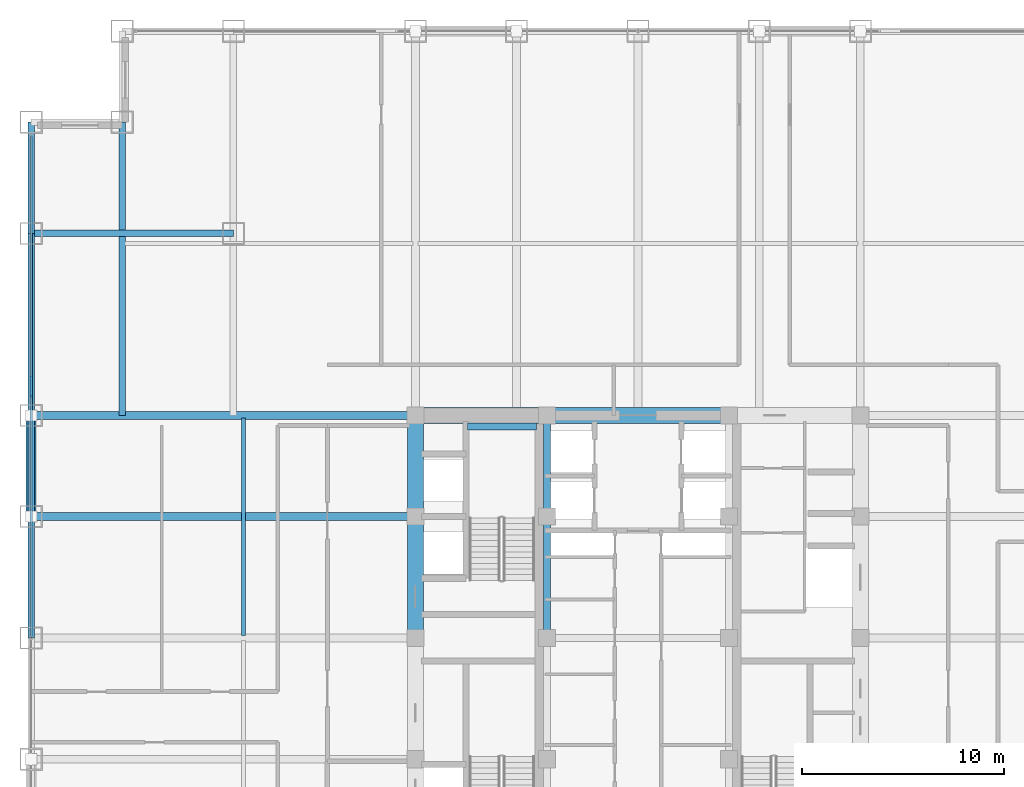
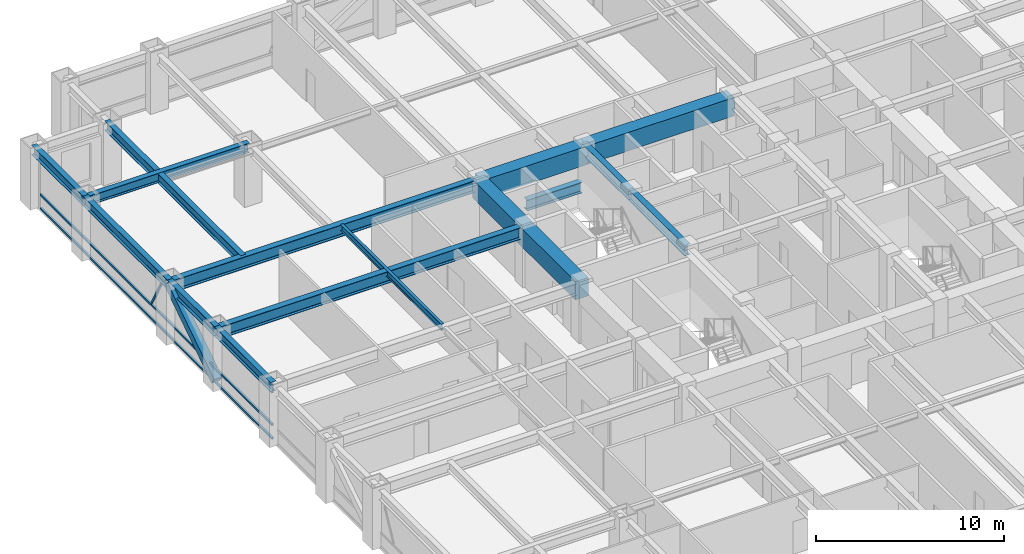
# One storey, part 11 of 24: 16 beams, 5 members, 1 element without a shape of its own.
"""IFC4 building model written with IfcOpenShell, lengths in metres."""

from ifc_helpers import new_model, si_unit, direction, frame, origin, origin_2d, place, context, subcontext, project, spatial, rectangle, hollow_rectangle, i_section, extrude, source, transform, mapped, material, material_profile, profile_set, type_object, element, aggregate, save


model = new_model("IFC4")

# Units and contexts
model_context = context("Model", 3, precision=1e-05, world=origin(), true_north=direction((0.0, 1.0)))
body_context = subcontext(model_context, "Body", "Model", "MODEL_VIEW")
ifc_project = project(units=[si_unit("LENGTHUNIT", "METRE"), si_unit("AREAUNIT", "SQUARE_METRE"), si_unit("VOLUMEUNIT", "CUBIC_METRE"), si_unit("PLANEANGLEUNIT", "RADIAN"), si_unit("MASSUNIT", "GRAM", prefix="KILO")], contexts=[model_context])

# Site, building, storey
site_placement = place(None, origin())
site = spatial("IfcSite", under=ifc_project, at=site_placement, CompositionType="ELEMENT")
building_placement = place(site_placement, origin())
building = spatial("IfcBuilding", under=site, at=building_placement, Name="Khorayat Bourse Tower", CompositionType="ELEMENT")
storey_placement = place(building_placement, frame((0.0, 0.0, 171.10009765625)))
storey = spatial("IfcBuildingStorey", under=building, at=storey_placement, Name="L39", CompositionType="ELEMENT", Elevation=171.10009765625)

# Beams
ifc_material_1 = material(Name="Concrete C72/90", Category="concrete")
ifc_material_profile_1 = material_profile(ifc_material_1, rectangle(XDim=0.800048828125, YDim=1.199951171875, at=origin_2d()), Name="RC 800x1200")
ifc_profile_set_1 = profile_set([ifc_material_profile_1], Name="Concrete C72/90")
beam_type_1 = type_object("IfcBeamType", Name="BM-COUP-1200", PredefinedType="BEAM", material=ifc_profile_set_1)
shared_shape_1 = source(origin(), body_context, "Body", "SweptSolid", [
    extrude(rectangle(XDim=0.800048828125, YDim=1.199951171875, at=origin_2d()), origin(), (0.0, 0.0, 1.0), 5.0),
])
beam_1_placement = place(storey_placement, frame((-11.0, 6.0, 3.179931640625), z_axis=(0.0, 1.0, 0.0), x_axis=(-1.0, 0.0, 0.0)))
element("IfcBeam", 1, at=beam_1_placement, inside=storey, type_object=beam_type_1, Name="L39 BM-COUP-1200 BM-L39-CRX-04", PredefinedType="BEAM", context=body_context, shape_type="MappedRepresentation", body=[
    mapped(shared_shape_1, transform((0.0, 0.0, 0.0), scale=1.0)),
])
shared_shape_2 = source(origin(), body_context, "Body", "SweptSolid", [
    extrude(rectangle(XDim=0.800048828125, YDim=1.199951171875, at=origin_2d()), origin(), (0.0, 0.0, 1.0), 6.0),
])
beam_2_placement = place(storey_placement, frame((-11.0, 0.0, 3.179931640625), z_axis=(0.0, 1.0, 0.0), x_axis=(-1.0, 0.0, 0.0)))
element("IfcBeam", 2, at=beam_2_placement, inside=storey, type_object=beam_type_1, Name="L39 BM-COUP-1200 BM-L39-CRX-03", PredefinedType="BEAM", context=body_context, shape_type="MappedRepresentation", body=[
    mapped(shared_shape_2, transform((0.0, 0.0, 0.0), scale=1.0)),
])
ifc_material_2 = material(Name="Steel ASTM A992 Grade 50", Category="steel")
ifc_material_profile_2 = material_profile(ifc_material_2, i_section(OverallWidth=0.35498046875, OverallDepth=0.695068359375, WebThickness=0.015380859375, FlangeThickness=0.02490234375, FilletRadius=0.01806640625, at=origin_2d()), Name="W690X217")
ifc_profile_set_2 = profile_set([ifc_material_profile_2], Name="Steel ASTM A992 Grade 50")
beam_type_2 = type_object("IfcBeamType", Name="BM-GIRD-690", PredefinedType="BEAM", material=ifc_profile_set_2)
shared_shape_3 = source(origin(), body_context, "Body", "SweptSolid", [
    extrude(i_section(OverallWidth=0.35498046875, OverallDepth=0.695068359375, WebThickness=0.015380859375, FlangeThickness=0.02490234375, FilletRadius=0.01806640625, at=origin_2d()), origin(), (0.0, 0.0, 1.0), 5.0),
])
beam_3_placement = place(storey_placement, frame((-4.5, 6.0, 3.432373046875), z_axis=(0.0, 1.0, 0.0), x_axis=(-1.0, 0.0, 0.0)))
element("IfcBeam", 3, at=beam_3_placement, inside=storey, type_object=beam_type_2, Name="L39 BM-GIRD-690 BM-L39-CRX-08", PredefinedType="BEAM", context=body_context, shape_type="MappedRepresentation", body=[
    mapped(shared_shape_3, transform((0.0, 0.0, 0.0), scale=1.0)),
])
shared_shape_4 = source(origin(), body_context, "Body", "SweptSolid", [
    extrude(i_section(OverallWidth=0.35498046875, OverallDepth=0.695068359375, WebThickness=0.015380859375, FlangeThickness=0.02490234375, FilletRadius=0.01806640625, at=origin_2d()), origin(), (0.0, 0.0, 1.0), 6.0),
])
beam_4_placement = place(storey_placement, frame((-4.5, 0.0, 3.432373046875), z_axis=(0.0, 1.0, 0.0), x_axis=(-1.0, 0.0, 0.0)))
element("IfcBeam", 4, at=beam_4_placement, inside=storey, type_object=beam_type_2, Name="L39 BM-GIRD-690 BM-L39-CRX-07", PredefinedType="BEAM", context=body_context, shape_type="MappedRepresentation", body=[
    mapped(shared_shape_4, transform((0.0, 0.0, 0.0), scale=1.0)),
])
shared_shape_5 = source(origin(), body_context, "Body", "SweptSolid", [
    extrude(rectangle(XDim=0.800048828125, YDim=1.199951171875, at=origin_2d()), origin(), (0.0, 0.0, 1.0), 6.5),
])
beam_5_placement = place(storey_placement, frame((-11.0, 11.0, 3.179931640625), z_axis=(1.0, 0.0, 0.0), x_axis=(0.0, 1.0, 0.0)))
element("IfcBeam", 5, at=beam_5_placement, inside=storey, type_object=beam_type_1, Name="L39 BM-COUP-1200 BM-L39-CRY-20", PredefinedType="BEAM", context=body_context, shape_type="MappedRepresentation", body=[
    mapped(shared_shape_5, transform((0.0, 0.0, 0.0), scale=1.0)),
])
shared_shape_6 = source(origin(), body_context, "Body", "SweptSolid", [
    extrude(rectangle(XDim=0.800048828125, YDim=1.199951171875, at=origin_2d()), origin(), (0.0, 0.0, 1.0), 9.0),
])
beam_6_placement = place(storey_placement, frame((-4.5, 11.0, 3.179931640625), z_axis=(1.0, 0.0, 0.0), x_axis=(0.0, 1.0, 0.0)))
element("IfcBeam", 6, at=beam_6_placement, inside=storey, type_object=beam_type_1, Name="L39 BM-COUP-1200 BM-L39-CRY-21", PredefinedType="BEAM", context=body_context, shape_type="MappedRepresentation", body=[
    mapped(shared_shape_6, transform((0.0, 0.0, 0.0), scale=1.0)),
])
shared_shape_7 = source(origin(), body_context, "Body", "SweptSolid", [
    extrude(i_section(OverallWidth=0.35498046875, OverallDepth=0.695068359375, WebThickness=0.015380859375, FlangeThickness=0.02490234375, FilletRadius=0.01806640625, at=origin_2d()), origin(), (0.0, 0.0, 1.0), 3.39990234375),
])
beam_7_placement = place(storey_placement, frame((-8.419921875, 10.449951171875, 1.452392578125), z_axis=(1.0, 0.0, 0.0), x_axis=(0.0, 1.0, 0.0)))
element("IfcBeam", 7, at=beam_7_placement, inside=storey, type_object=beam_type_2, Name="L39 BM-GIRD-690 BM-L39-ST2L", PredefinedType="BEAM", context=body_context, shape_type="MappedRepresentation", body=[
    mapped(shared_shape_7, transform((0.0, 0.0, 0.0), scale=1.0)),
])
ifc_material_profile_3 = material_profile(ifc_material_2, i_section(OverallWidth=0.381103515625, OverallDepth=0.77294921875, WebThickness=0.0166015625, FlangeThickness=0.027587890625, FilletRadius=0.01806640625, at=origin_2d()), Name="W760X257")
ifc_profile_set_3 = profile_set([ifc_material_profile_3], Name="Steel ASTM A992 Grade 50")
beam_type_3 = type_object("IfcBeamType", Name="BM-GIRD-760", PredefinedType="BEAM", material=ifc_profile_set_3)
shared_shape_8 = source(origin(), body_context, "Body", "SweptSolid", [
    extrude(i_section(OverallWidth=0.381103515625, OverallDepth=0.77294921875, WebThickness=0.0166015625, FlangeThickness=0.027587890625, FilletRadius=0.01806640625, at=origin_2d()), origin(), (0.0, 0.0, 1.0), 19.0),
])
for number, where, z_axis, x_axis, name in (
    (8, (-30.0, 6.0, 3.393310546875), (1.0, 0.0, 0.0), (0.0, 1.0, 0.0), "L39 BM-GIRD-760 BM-L39-RADX-081"),
    (9, (-30.0, 11.0, 3.393310546875), (1.0, 0.0, 0.0), (0.0, 1.0, 0.0), "L39 BM-GIRD-760 BM-L39-RADX-083"),
):
    element("IfcBeam", number, at=place(storey_placement, frame(where, z_axis=z_axis, x_axis=x_axis)), inside=storey, type_object=beam_type_3, Name=name, PredefinedType="BEAM", context=body_context, shape_type="MappedRepresentation", body=[
        mapped(shared_shape_8, transform((0.0, 0.0, 0.0), scale=1.0)),
    ])
ifc_material_profile_4 = material_profile(ifc_material_2, i_section(OverallWidth=0.324951171875, OverallDepth=0.615966796875, WebThickness=0.013916015625, FlangeThickness=0.021484375, FilletRadius=0.01611328125, at=origin_2d()), Name="W610X174")
ifc_profile_set_4 = profile_set([ifc_material_profile_4], Name="Steel ASTM A992 Grade 50")
beam_type_4 = type_object("IfcBeamType", Name="BM-GIRD-610", PredefinedType="BEAM", material=ifc_profile_set_4)
shared_shape_9 = source(origin(), body_context, "Body", "SweptSolid", [
    extrude(i_section(OverallWidth=0.324951171875, OverallDepth=0.615966796875, WebThickness=0.013916015625, FlangeThickness=0.021484375, FilletRadius=0.01611328125, at=origin_2d()), origin(), (0.0, 0.0, 1.0), 14.5),
])
beam_8_placement = place(storey_placement, frame((-25.5, 11.0, 3.471923828125), z_axis=(0.0, 1.0, 0.0), x_axis=(-1.0, 0.0, 0.0)))
element("IfcBeam", 10, at=beam_8_placement, inside=storey, type_object=beam_type_4, Name="L39 BM-GIRD-610 BM-L39-CNRY-089", PredefinedType="BEAM", context=body_context, shape_type="MappedRepresentation", body=[
    mapped(shared_shape_9, transform((0.0, 0.0, 0.0), scale=1.0)),
])
shared_shape_10 = source(origin(), body_context, "Body", "SweptSolid", [
    extrude(i_section(OverallWidth=0.324951171875, OverallDepth=0.615966796875, WebThickness=0.013916015625, FlangeThickness=0.021484375, FilletRadius=0.01611328125, at=origin_2d()), origin(), (0.0, 0.0, 1.0), 10.0),
])
beam_9_placement = place(storey_placement, frame((-30.0, 20.0, 3.471923828125), z_axis=(1.0, 0.0, 0.0), x_axis=(0.0, 1.0, 0.0)))
element("IfcBeam", 11, at=beam_9_placement, inside=storey, type_object=beam_type_4, Name="L39 BM-GIRD-610 BM-L39-CNRX-095", PredefinedType="BEAM", context=body_context, shape_type="MappedRepresentation", body=[
    mapped(shared_shape_10, transform((0.0, 0.0, 0.0), scale=1.0)),
])
ifc_material_profile_5 = material_profile(ifc_material_2, i_section(OverallWidth=0.180908203125, OverallDepth=0.4169921875, WebThickness=0.010986328125, FlangeThickness=0.018310546875, FilletRadius=0.011962890625, at=origin_2d()), Name="W410X85")
ifc_profile_set_5 = profile_set([ifc_material_profile_5], Name="Steel ASTM A992 Grade 50")
beam_type_5 = type_object("IfcBeamType", Name="BM-JOIST-410", PredefinedType="JOIST", material=ifc_profile_set_5)
shared_shape_11 = source(origin(), body_context, "Body", "SweptSolid", [
    extrude(i_section(OverallWidth=0.180908203125, OverallDepth=0.4169921875, WebThickness=0.010986328125, FlangeThickness=0.018310546875, FilletRadius=0.011962890625, at=origin_2d()), origin(), (0.0, 0.0, 1.0), 10.740234375),
])
beam_10_placement = place(storey_placement, frame((-19.5, 0.1298828125, 3.5712890625), z_axis=(0.0, 1.0, 0.0), x_axis=(-1.0, 0.0, 0.0)))
element("IfcBeam", 12, at=beam_10_placement, inside=storey, type_object=beam_type_5, Name="L39 BM-JOIST-410 BM-L39-JSTY-103", PredefinedType="JOIST", context=body_context, shape_type="MappedRepresentation", body=[
    mapped(shared_shape_11, transform((0.0, 0.0, 0.0), scale=1.0)),
])
ifc_material_profile_6 = material_profile(ifc_material_2, i_section(OverallWidth=0.324951171875, OverallDepth=0.615966796875, WebThickness=0.013916015625, FlangeThickness=0.021484375, FilletRadius=0.01611328125, at=origin_2d()), Name="W610X174")
ifc_profile_set_6 = profile_set([ifc_material_profile_6], Name="Steel ASTM A992 Grade 50")
beam_type_6 = type_object("IfcBeamType", Name="BM-SPAN-610", PredefinedType="SPANDREL", material=ifc_profile_set_6)
shared_shape_12 = source(origin(), body_context, "Body", "SweptSolid", [
    extrude(i_section(OverallWidth=0.324951171875, OverallDepth=0.615966796875, WebThickness=0.013916015625, FlangeThickness=0.021484375, FilletRadius=0.01611328125, at=origin_2d()), origin(), (0.0, 0.0, 1.0), 5.5),
])
beam_11_placement = place(storey_placement, frame((-30.0, 20.0, 3.471923828125), z_axis=(0.0, 1.0, 0.0), x_axis=(-1.0, 0.0, 0.0)))
element("IfcBeam", 13, at=beam_11_placement, inside=storey, type_object=beam_type_6, Name="L39 BM-SPAN-610 BM-L39-SPN-054", PredefinedType="SPANDREL", context=body_context, shape_type="MappedRepresentation", body=[
    mapped(shared_shape_12, transform((0.0, 0.0, 0.0), scale=1.0)),
])
shared_shape_13 = source(origin(), body_context, "Body", "SweptSolid", [
    extrude(i_section(OverallWidth=0.324951171875, OverallDepth=0.615966796875, WebThickness=0.013916015625, FlangeThickness=0.021484375, FilletRadius=0.01611328125, at=origin_2d()), origin(), (0.0, 0.0, 1.0), 9.0),
])
beam_12_placement = place(storey_placement, frame((-30.0, 11.0, 3.471923828125), z_axis=(0.0, 1.0, 0.0), x_axis=(-1.0, 0.0, 0.0)))
element("IfcBeam", 14, at=beam_12_placement, inside=storey, type_object=beam_type_6, Name="L39 BM-SPAN-610 BM-L39-SPN-055", PredefinedType="SPANDREL", context=body_context, shape_type="MappedRepresentation", body=[
    mapped(shared_shape_13, transform((0.0, 0.0, 0.0), scale=1.0)),
])
shared_shape_14 = source(origin(), body_context, "Body", "SweptSolid", [
    extrude(i_section(OverallWidth=0.324951171875, OverallDepth=0.615966796875, WebThickness=0.013916015625, FlangeThickness=0.021484375, FilletRadius=0.01611328125, at=origin_2d()), origin(), (0.0, 0.0, 1.0), 5.0),
])
beam_13_placement = place(storey_placement, frame((-30.0, 6.0, 3.471923828125), z_axis=(0.0, 1.0, 0.0), x_axis=(-1.0, 0.0, 0.0)))
element("IfcBeam", 15, at=beam_13_placement, inside=storey, type_object=beam_type_6, Name="L39 BM-SPAN-610 BM-L39-SPN-056", PredefinedType="SPANDREL", context=body_context, shape_type="MappedRepresentation", body=[
    mapped(shared_shape_14, transform((0.0, 0.0, 0.0), scale=1.0)),
])
shared_shape_15 = source(origin(), body_context, "Body", "SweptSolid", [
    extrude(i_section(OverallWidth=0.324951171875, OverallDepth=0.615966796875, WebThickness=0.013916015625, FlangeThickness=0.021484375, FilletRadius=0.01611328125, at=origin_2d()), origin(), (0.0, 0.0, 1.0), 6.0),
])
beam_14_placement = place(storey_placement, frame((-30.0, 0.0, 3.471923828125), z_axis=(0.0, 1.0, 0.0), x_axis=(-1.0, 0.0, 0.0)))
element("IfcBeam", 16, at=beam_14_placement, inside=storey, type_object=beam_type_6, Name="L39 BM-SPAN-610 BM-L39-SPN-057", PredefinedType="SPANDREL", context=body_context, shape_type="MappedRepresentation", body=[
    mapped(shared_shape_15, transform((0.0, 0.0, 0.0), scale=1.0)),
])

# Member
ifc_material_3 = material(Name="Steel EN 10025-4 S460M", Category="steel")
ifc_material_profile_7 = material_profile(ifc_material_3, hollow_rectangle(XDim=0.5, YDim=0.5, WallThickness=0.028076171875, at=origin_2d()), Name="HSS 500x500x28")
ifc_profile_set_7 = profile_set([ifc_material_profile_7], Name="Steel EN 10025-4 S460M")
member_type_1 = type_object("IfcMemberType", Name="MBR-TUBE-500", PredefinedType="BRACE", material=ifc_profile_set_7)
shared_shape_16 = source(origin(), body_context, "Body", "SweptSolid", [
    extrude(hollow_rectangle(XDim=0.5, YDim=0.5, WallThickness=0.028076171875, at=origin_2d()), origin(), (0.0, 0.0, 1.0), 5.979736328125),
])
member_1_placement = place(storey_placement, frame((-30.0, 6.0, 0.25), z_axis=(0.0, 0.836160261256, 0.548485202623), x_axis=(-1.0, 0.0, 0.0)))
element("IfcMember", 17, at=member_1_placement, inside=storey, type_object=member_type_1, Name="L39 Perimeter Tube Brace 06", PredefinedType="BRACE", context=body_context, shape_type="MappedRepresentation", body=[
    mapped(shared_shape_16, transform((0.0, 0.0, 0.0), scale=1.0)),
])

# Curtain wall, members
ifc_material_4 = material(Name="Aluminium EN AW-6063 T6", Category="aluminium")
curtain_wall_type = type_object("IfcCurtainWallType", Name="CW-SYS-03", PredefinedType="NOTDEFINED", material=ifc_material_4)
curtain_wall_placement = place(storey_placement, origin())
curtain_wall = element("IfcCurtainWall", 18, at=curtain_wall_placement, inside=storey, type_object=curtain_wall_type, Name="L39 Curtain Wall CW-L39-W1", PredefinedType="NOTDEFINED")
ifc_material_profile_8 = material_profile(ifc_material_4, hollow_rectangle(XDim=0.1201171875, YDim=0.1201171875, WallThickness=0.0048828125, at=origin_2d()), Name="ALU 120x120x5")
ifc_profile_set_8 = profile_set([ifc_material_profile_8], Name="Aluminium EN AW-6063 T6")
member_type_2 = type_object("IfcMemberType", Name="CWM-DIAG-120", PredefinedType="MULLION", material=ifc_profile_set_8)
shared_shape_17 = source(origin(), body_context, "Body", "SweptSolid", [
    extrude(hollow_rectangle(XDim=0.1201171875, YDim=0.1201171875, WallThickness=0.0048828125, at=origin_2d()), origin(), (0.0, 0.0, 1.0), 2.079345703125),
])
member_2_placement = place(storey_placement, frame((-30.0, 12.904296875, 1.08984375), z_axis=(0.0, -0.465760949701, 0.884910581773), x_axis=(1.0, 0.0, 0.0)))
member_2 = element("IfcMember", 19, at=member_2_placement, type_object=member_type_2, Name="CW-L39-W1 Faceted Diagonal Mullion 2", PredefinedType="MULLION", context=body_context, shape_type="MappedRepresentation", body=[
    mapped(shared_shape_17, transform((0.0, 0.0, 0.0), scale=1.0)),
])
ifc_material_profile_9 = material_profile(ifc_material_4, hollow_rectangle(XDim=0.1201171875, YDim=0.1201171875, WallThickness=0.0048828125, at=origin_2d()), Name="ALU 120x120x5")
ifc_profile_set_9 = profile_set([ifc_material_profile_9], Name="Aluminium EN AW-6063 T6")
member_type_3 = type_object("IfcMemberType", Name="CWT-HORZ-120", PredefinedType="USERDEFINED", material=ifc_profile_set_9)
shared_shape_18 = source(origin(), body_context, "Body", "SweptSolid", [
    extrude(hollow_rectangle(XDim=0.1201171875, YDim=0.1201171875, WallThickness=0.0048828125, at=origin_2d()), origin(), (0.0, 0.0, 1.0), 24.719970703125),
])
member_3_placement = place(storey_placement, frame((-30.0, 0.06005859375, 0.059814453125), z_axis=(0.0, 1.0, 0.0), x_axis=(-1.0, 0.0, 0.0)))
member_3 = element("IfcMember", 20, at=member_3_placement, type_object=member_type_3, Name="CW-L39-W1 Horizontal Transom 2-1", ObjectType="TRANSOM", PredefinedType="USERDEFINED", context=body_context, shape_type="MappedRepresentation", body=[
    mapped(shared_shape_18, transform((0.0, 0.0, 0.0), scale=1.0)),
])
member_4_placement = place(storey_placement, frame((-30.0, 0.06005859375, 0.949951171875), z_axis=(0.0, 1.0, 0.0), x_axis=(-1.0, 0.0, 0.0)))
member_4 = element("IfcMember", 21, at=member_4_placement, type_object=member_type_3, Name="CW-L39-W1 Horizontal Transom 2-2", ObjectType="TRANSOM", PredefinedType="USERDEFINED", context=body_context, shape_type="MappedRepresentation", body=[
    mapped(shared_shape_18, transform((0.0, 0.0, 0.0), scale=1.0)),
])
member_5_placement = place(storey_placement, frame((-30.0, 0.06005859375, 3.06982421875), z_axis=(0.0, 1.0, 0.0), x_axis=(-1.0, 0.0, 0.0)))
member_5 = element("IfcMember", 22, at=member_5_placement, type_object=member_type_3, Name="CW-L39-W1 Horizontal Transom 2-3", ObjectType="TRANSOM", PredefinedType="USERDEFINED", context=body_context, shape_type="MappedRepresentation", body=[
    mapped(shared_shape_18, transform((0.0, 0.0, 0.0), scale=1.0)),
])
aggregate(curtain_wall, [member_3, member_4, member_5, member_2])

save(model, "model.ifc")
